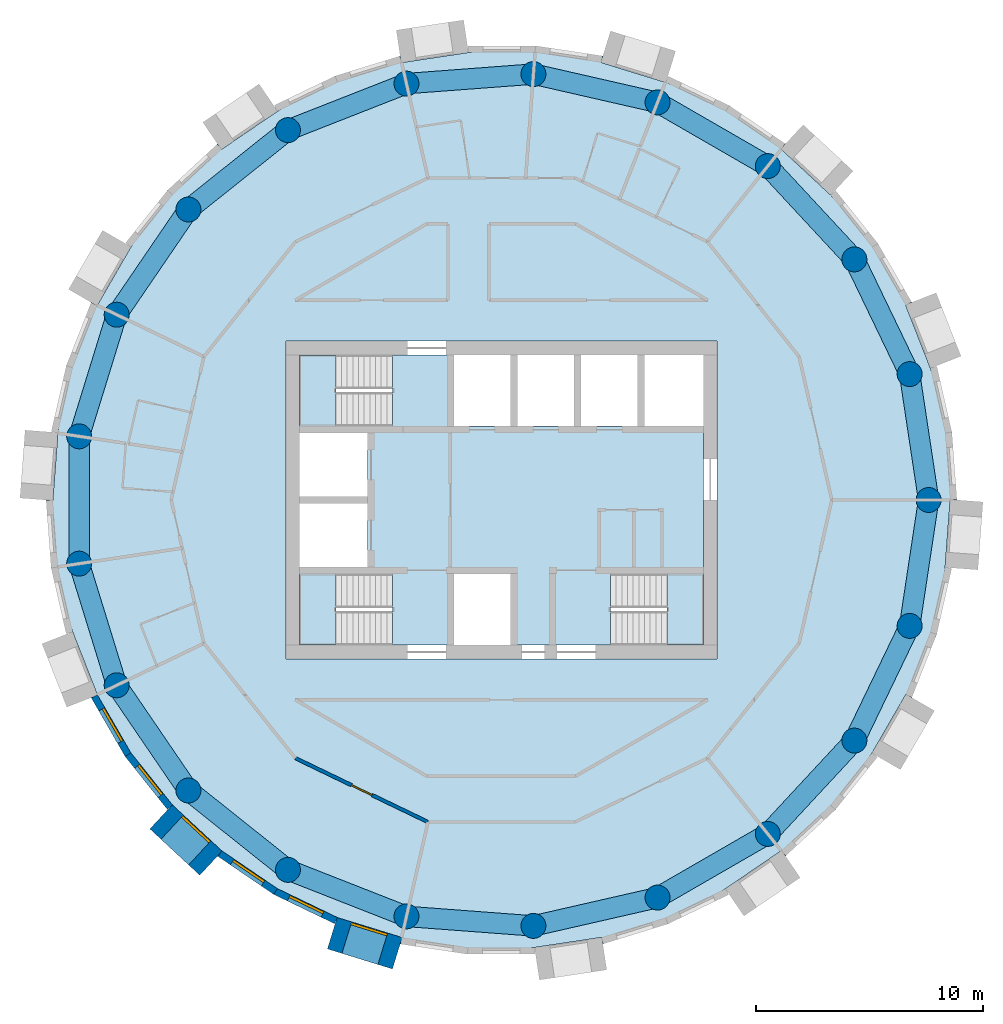
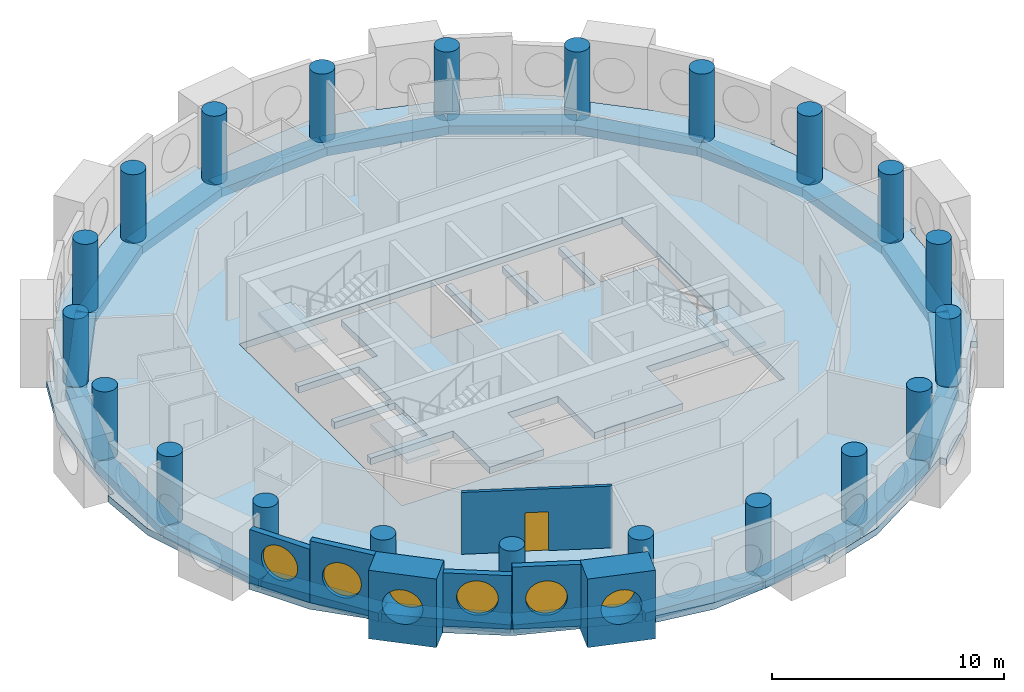
# One storey, part 1 of 12: 21 beams, 21 columns, 7 walls, 6 windows, 5 slabs, 1 door, 7 openings, 3 elements without a shape of their own.
"""IFC4 building model written with IfcOpenShell, lengths in metres."""

from ifc_helpers import new_model, si_unit, direction, frame, frame_2d, origin, origin_2d, place, context, subcontext, project, spatial, polyline, rectangle, circle, outline, extrude, material, layer, layer_set, material_profile, profile_set, type_object, element, fill, aggregate, save


model = new_model("IFC4")

# Units and contexts
model_context = context("Model", 3, precision=1e-05, world=origin(), true_north=direction((0.0, 1.0)))
body_context = subcontext(model_context, "Body", "Model", "MODEL_VIEW")
ifc_project = project(units=[si_unit("LENGTHUNIT", "METRE"), si_unit("AREAUNIT", "SQUARE_METRE"), si_unit("VOLUMEUNIT", "CUBIC_METRE"), si_unit("PLANEANGLEUNIT", "RADIAN"), si_unit("MASSUNIT", "GRAM", prefix="KILO")], contexts=[model_context])

# Site, building, storey
site_placement = place(None, origin())
site = spatial("IfcSite", under=ifc_project, at=site_placement, CompositionType="ELEMENT")
building_placement = place(site_placement, origin())
building = spatial("IfcBuilding", under=site, at=building_placement, Name="Tracery Tower", CompositionType="ELEMENT")
storey_placement = place(building_placement, frame((0.0, 0.0, 249.0)))
storey = spatial("IfcBuildingStorey", under=building, at=storey_placement, Name="L64", CompositionType="ELEMENT", Elevation=249.0)

# Columns
ifc_material_1 = material(Name="Concrete C40/50", Category="concrete")
ifc_material_profile_1 = material_profile(ifc_material_1, circle(Radius=0.550048828125, at=origin_2d()), Name="RC D1100")
ifc_profile_set_1 = profile_set([ifc_material_profile_1], Name="Concrete C40/50")
column_type = type_object("IfcColumnType", Name="Ring 2 column 1100", PredefinedType="COLUMN", material=ifc_profile_set_1)
for number, where, z_axis, x_axis, name in (
    (1, (18.822265625, 0.0, 0.0), (0.0, 0.0, 1.0), (1.0, 0.0, 0.0), "Ring 2 column 00 at L64"),
    (2, (17.986083984375, 5.5478515625, 0.0), (0.0, 0.0, 1.0), (1.0, 0.0, 0.0), "Ring 2 column 01 at L64"),
    (3, (15.551513671875, 10.602783203125, 0.0), (0.0, 0.0, 1.0), (1.0, 0.0, 0.0), "Ring 2 column 02 at L64"),
    (4, (11.7353515625, 14.7158203125, 0.0), (0.0, 0.0, 1.0), (1.0, 0.0, 0.0), "Ring 2 column 03 at L64"),
    (5, (6.87646484375, 17.52099609375, 0.0), (0.0, 0.0, 1.0), (1.0, 0.0, 0.0), "Ring 2 column 04 at L64"),
    (6, (1.406494140625, 18.76953125, 0.0), (0.0, 0.0, 1.0), (1.0, 0.0, 0.0), "Ring 2 column 05 at L64"),
    (7, (-4.188232421875, 18.350341796875, 0.0), (0.0, 0.0, 1.0), (1.0, 0.0, 0.0), "Ring 2 column 06 at L64"),
    (8, (-9.4111328125, 16.300537109375, 0.0), (0.0, 0.0, 1.0), (1.0, 0.0, 0.0), "Ring 2 column 07 at L64"),
    (9, (-13.797607421875, 12.802490234375, 0.0), (0.0, 0.0, 1.0), (1.0, 0.0, 0.0), "Ring 2 column 08 at L64"),
    (10, (-16.958251953125, 8.16650390625, 0.0), (0.0, 0.0, 1.0), (1.0, 0.0, 0.0), "Ring 2 column 09 at L64"),
    (11, (-18.612060546875, 2.805419921875, 0.0), (0.0, 0.0, 1.0), (1.0, 0.0, 0.0), "Ring 2 column 10 at L64"),
    (12, (-18.612060546875, -2.805419921875, 0.0), (0.0, 0.0, 1.0), (1.0, 0.0, 0.0), "Ring 2 column 11 at L64"),
    (13, (-16.958251953125, -8.166748046875, 0.0), (0.0, 0.0, 1.0), (1.0, 0.0, 0.0), "Ring 2 column 12 at L64"),
    (14, (-13.797607421875, -12.80224609375, 0.0), (0.0, 0.0, 1.0), (1.0, 0.0, 0.0), "Ring 2 column 13 at L64"),
    (15, (-9.4111328125, -16.300537109375, 0.0), (0.0, 0.0, 1.0), (1.0, 0.0, 0.0), "Ring 2 column 14 at L64"),
    (16, (-4.188232421875, -18.350341796875, 0.0), (0.0, 0.0, 1.0), (1.0, 0.0, 0.0), "Ring 2 column 15 at L64"),
    (17, (1.406494140625, -18.76953125, 0.0), (0.0, 0.0, 1.0), (1.0, 0.0, 0.0), "Ring 2 column 16 at L64"),
    (18, (6.87646484375, -17.52099609375, 0.0), (0.0, 0.0, 1.0), (1.0, 0.0, 0.0), "Ring 2 column 17 at L64"),
    (19, (11.7353515625, -14.7158203125, 0.0), (0.0, 0.0, 1.0), (1.0, 0.0, 0.0), "Ring 2 column 18 at L64"),
    (20, (15.551513671875, -10.602783203125, 0.0), (0.0, 0.0, 1.0), (1.0, 0.0, 0.0), "Ring 2 column 19 at L64"),
    (21, (17.986083984375, -5.5478515625, 0.0), (0.0, 0.0, 1.0), (1.0, 0.0, 0.0), "Ring 2 column 20 at L64"),
):
    element("IfcColumn", number, at=place(storey_placement, frame(where, z_axis=z_axis, x_axis=x_axis)), inside=storey, type_object=column_type, Name=name, PredefinedType="COLUMN", context=body_context, shape_type="SweptSolid", body=[
        extrude(circle(Radius=0.550048828125, at=origin_2d()), origin(), (0.0, 0.0, 1.0), 3.60009765625),
    ])

# Beams
ifc_material_2 = material(Name="Concrete C40/50", Category="concrete")
ifc_material_profile_2 = material_profile(ifc_material_2, rectangle(XDim=0.89990234375, YDim=0.449951171875, at=origin_2d()), Name="RC 900x450")
ifc_profile_set_2 = profile_set([ifc_material_profile_2], Name="Concrete C40/50")
beam_type = type_object("IfcBeamType", Name="Perimeter band beam 900x450", PredefinedType="BEAM", material=ifc_profile_set_2)
for number, where, z_axis, x_axis, name in (
    (22, (18.822265625, 0.0, -0.574951171875), (-0.149038355855, 0.988831415603, 0.0), (-0.988831415603, -0.149038355855, 0.0), "Perimeter beam 2.00 under L64"),
    (23, (17.986083984375, 5.5478515625, -0.574951171875), (-0.433918973155, 0.900951899235, 0.0), (-0.900951899235, -0.433918973155, 0.0), "Perimeter beam 2.01 under L64"),
):
    element("IfcBeam", number, at=place(storey_placement, frame(where, z_axis=z_axis, x_axis=x_axis)), inside=storey, type_object=beam_type, Name=name, PredefinedType="BEAM", context=body_context, shape_type="SweptSolid", body=[
        extrude(rectangle(XDim=0.89990234375, YDim=0.449951171875, at=origin_2d()), origin(), (0.0, 0.0, 1.0), 5.610595703125),
    ])
beam_1_placement = place(storey_placement, frame((15.551513671875, 10.602783203125, -0.574951171875), z_axis=(-0.680155630824, 0.733067744386, 0.0), x_axis=(-0.733067744386, -0.680155630824, 0.0)))
element("IfcBeam", 24, at=beam_1_placement, inside=storey, type_object=beam_type, Name="Perimeter beam 2.02 under L64", PredefinedType="BEAM", context=body_context, shape_type="SweptSolid", body=[
    extrude(rectangle(XDim=0.89990234375, YDim=0.449951171875, at=origin_2d()), origin(), (0.0, 0.0, 1.0), 5.61083984375),
])
for number, where, z_axis, x_axis, name in (
    (25, (11.7353515625, 14.7158203125, -0.574951171875), (-0.866033412818, 0.49998612769, 0.0), (-0.49998612769, -0.866033412818, 0.0), "Perimeter beam 2.03 under L64"),
    (26, (6.87646484375, 17.52099609375, -0.574951171875), (-0.974925977366, 0.222529410768, 0.0), (-0.222529410768, -0.974925977366, 0.0), "Perimeter beam 2.04 under L64"),
):
    element("IfcBeam", number, at=place(storey_placement, frame(where, z_axis=z_axis, x_axis=x_axis)), inside=storey, type_object=beam_type, Name=name, PredefinedType="BEAM", context=body_context, shape_type="SweptSolid", body=[
        extrude(rectangle(XDim=0.89990234375, YDim=0.449951171875, at=origin_2d()), origin(), (0.0, 0.0, 1.0), 5.610595703125),
    ])
beam_2_placement = place(storey_placement, frame((1.406494140625, 18.76953125, -0.574951171875), z_axis=(-0.997204824387, -0.07471638521, 0.0), x_axis=(0.07471638521, -0.997204824387, 0.0)))
element("IfcBeam", 27, at=beam_2_placement, inside=storey, type_object=beam_type, Name="Perimeter beam 2.05 under L64", PredefinedType="BEAM", context=body_context, shape_type="SweptSolid", body=[
    extrude(rectangle(XDim=0.89990234375, YDim=0.449951171875, at=origin_2d()), origin(), (0.0, 0.0, 1.0), 5.6103515625),
])
beam_3_placement = place(storey_placement, frame((-4.188232421875, 18.350341796875, -0.574951171875), z_axis=(-0.930875728468, -0.365335979817, 0.0), x_axis=(0.365335979817, -0.930875728468, 0.0)))
element("IfcBeam", 28, at=beam_3_placement, inside=storey, type_object=beam_type, Name="Perimeter beam 2.06 under L64", PredefinedType="BEAM", context=body_context, shape_type="SweptSolid", body=[
    extrude(rectangle(XDim=0.89990234375, YDim=0.449951171875, at=origin_2d()), origin(), (0.0, 0.0, 1.0), 5.61083984375),
])
beam_4_placement = place(storey_placement, frame((-9.4111328125, 16.300537109375, -0.574951171875), z_axis=(-0.781835817725, -0.623484365579, 0.0), x_axis=(0.623484365579, -0.781835817725, 0.0)))
element("IfcBeam", 29, at=beam_4_placement, inside=storey, type_object=beam_type, Name="Perimeter beam 2.07 under L64", PredefinedType="BEAM", context=body_context, shape_type="SweptSolid", body=[
    extrude(rectangle(XDim=0.89990234375, YDim=0.449951171875, at=origin_2d()), origin(), (0.0, 0.0, 1.0), 5.610595703125),
])
beam_5_placement = place(storey_placement, frame((-13.797607421875, 12.802490234375, -0.574951171875), z_axis=(-0.563305770578, -0.826248515178, 0.0), x_axis=(0.826248515178, -0.563305770578, 0.0)))
element("IfcBeam", 30, at=beam_5_placement, inside=storey, type_object=beam_type, Name="Perimeter beam 2.08 under L64", PredefinedType="BEAM", context=body_context, shape_type="SweptSolid", body=[
    extrude(rectangle(XDim=0.89990234375, YDim=0.449951171875, at=origin_2d()), origin(), (0.0, 0.0, 1.0), 5.61083984375),
])
beam_6_placement = place(storey_placement, frame((-16.958251953125, 8.16650390625, -0.574951171875), z_axis=(-0.294776851839, -0.955566118916, 0.0), x_axis=(0.955566118916, -0.294776851839, 0.0)))
element("IfcBeam", 31, at=beam_6_placement, inside=storey, type_object=beam_type, Name="Perimeter beam 2.09 under L64", PredefinedType="BEAM", context=body_context, shape_type="SweptSolid", body=[
    extrude(rectangle(XDim=0.89990234375, YDim=0.449951171875, at=origin_2d()), origin(), (0.0, 0.0, 1.0), 5.6103515625),
])
beam_7_placement = place(storey_placement, frame((-18.612060546875, 2.805419921875, -0.574951171875), z_axis=(0.0, -1.0, 0.0), x_axis=(1.0, 0.0, 0.0)))
element("IfcBeam", 32, at=beam_7_placement, inside=storey, type_object=beam_type, Name="Perimeter beam 2.10 under L64", PredefinedType="BEAM", context=body_context, shape_type="SweptSolid", body=[
    extrude(rectangle(XDim=0.89990234375, YDim=0.449951171875, at=origin_2d()), origin(), (0.0, 0.0, 1.0), 5.61083984375),
])
for number, where, z_axis, x_axis, name in (
    (33, (-18.612060546875, -2.805419921875, -0.574951171875), (0.294764594813, -0.955569899926, 0.0), (0.955569899926, 0.294764594813, 0.0), "Perimeter beam 2.11 under L64"),
    (34, (-16.958251953125, -8.166748046875, -0.574951171875), (0.5633462764, -0.826220898348, 0.0), (0.826220898348, 0.5633462764, 0.0), "Perimeter beam 2.12 under L64"),
    (35, (-13.797607421875, -12.80224609375, -0.574951171875), (0.781814605872, -0.623510963853, 0.0), (0.623510963853, 0.781814605872, 0.0), "Perimeter beam 2.13 under L64"),
):
    element("IfcBeam", number, at=place(storey_placement, frame(where, z_axis=z_axis, x_axis=x_axis)), inside=storey, type_object=beam_type, Name=name, PredefinedType="BEAM", context=body_context, shape_type="SweptSolid", body=[
        extrude(rectangle(XDim=0.89990234375, YDim=0.449951171875, at=origin_2d()), origin(), (0.0, 0.0, 1.0), 5.610595703125),
    ])
beam_8_placement = place(storey_placement, frame((-9.4111328125, -16.300537109375, -0.574951171875), z_axis=(0.930875728468, -0.365335979817, 0.0), x_axis=(0.365335979817, 0.930875728468, 0.0)))
element("IfcBeam", 36, at=beam_8_placement, inside=storey, type_object=beam_type, Name="Perimeter beam 2.14 under L64", PredefinedType="BEAM", context=body_context, shape_type="SweptSolid", body=[
    extrude(rectangle(XDim=0.89990234375, YDim=0.449951171875, at=origin_2d()), origin(), (0.0, 0.0, 1.0), 5.61083984375),
])
beam_9_placement = place(storey_placement, frame((-4.188232421875, -18.350341796875, -0.574951171875), z_axis=(0.997204824387, -0.07471638521, 0.0), x_axis=(0.07471638521, 0.997204824387, 0.0)))
element("IfcBeam", 37, at=beam_9_placement, inside=storey, type_object=beam_type, Name="Perimeter beam 2.15 under L64", PredefinedType="BEAM", context=body_context, shape_type="SweptSolid", body=[
    extrude(rectangle(XDim=0.89990234375, YDim=0.449951171875, at=origin_2d()), origin(), (0.0, 0.0, 1.0), 5.6103515625),
])
for number, where, z_axis, x_axis, name in (
    (38, (1.406494140625, -18.76953125, -0.574951171875), (0.974925977366, 0.222529410768, 0.0), (-0.222529410768, 0.974925977366, 0.0), "Perimeter beam 2.16 under L64"),
    (39, (6.87646484375, -17.52099609375, -0.574951171875), (0.866033412818, 0.49998612769, 0.0), (-0.49998612769, 0.866033412818, 0.0), "Perimeter beam 2.17 under L64"),
):
    element("IfcBeam", number, at=place(storey_placement, frame(where, z_axis=z_axis, x_axis=x_axis)), inside=storey, type_object=beam_type, Name=name, PredefinedType="BEAM", context=body_context, shape_type="SweptSolid", body=[
        extrude(rectangle(XDim=0.89990234375, YDim=0.449951171875, at=origin_2d()), origin(), (0.0, 0.0, 1.0), 5.610595703125),
    ])
beam_10_placement = place(storey_placement, frame((11.7353515625, -14.7158203125, -0.574951171875), z_axis=(0.680155630824, 0.733067744386, 0.0), x_axis=(-0.733067744386, 0.680155630824, 0.0)))
element("IfcBeam", 40, at=beam_10_placement, inside=storey, type_object=beam_type, Name="Perimeter beam 2.18 under L64", PredefinedType="BEAM", context=body_context, shape_type="SweptSolid", body=[
    extrude(rectangle(XDim=0.89990234375, YDim=0.449951171875, at=origin_2d()), origin(), (0.0, 0.0, 1.0), 5.61083984375),
])
for number, where, z_axis, x_axis, name in (
    (41, (15.551513671875, -10.602783203125, -0.574951171875), (0.433918973155, 0.900951899235, 0.0), (-0.900951899235, 0.433918973155, 0.0), "Perimeter beam 2.19 under L64"),
    (42, (17.986083984375, -5.5478515625, -0.574951171875), (0.149038355855, 0.988831415603, 0.0), (-0.988831415603, 0.149038355855, 0.0), "Perimeter beam 2.20 under L64"),
):
    element("IfcBeam", number, at=place(storey_placement, frame(where, z_axis=z_axis, x_axis=x_axis)), inside=storey, type_object=beam_type, Name=name, PredefinedType="BEAM", context=body_context, shape_type="SweptSolid", body=[
        extrude(rectangle(XDim=0.89990234375, YDim=0.449951171875, at=origin_2d()), origin(), (0.0, 0.0, 1.0), 5.610595703125),
    ])

# Slabs
ifc_material_3 = material(Name="Concrete C40/50", Category="concrete")
ifc_layer_1 = layer(ifc_material_3, 0.35009765625)
ifc_layer_set_1 = layer_set([ifc_layer_1], Name="Core floor slab 350 C40")
slab_type_1 = type_object("IfcSlabType", Name="Core floor slab 350 C40", PredefinedType="FLOOR", material=ifc_layer_set_1)
slab_1_placement = place(storey_placement, frame((0.0, 0.0, -0.35009765625)))
element("IfcSlab", 43, at=slab_1_placement, inside=storey, type_object=slab_type_1, Name="L64 core floor 1", PredefinedType="FLOOR", context=body_context, shape_type="SweptSolid", body=[
    extrude(outline(polyline([(-4.800537109375, -3.25), (-8.89990234375, -3.25), (-8.89990234375, -2.949951171875), (-5.89990234375, -2.949951171875), (-5.89990234375, -0.14990234375), (-8.89990234375, -0.14990234375), (-8.89990234375, 0.14990234375), (-5.89990234375, 0.14990234375), (-5.89990234375, 2.949951171875), (-8.89990234375, 2.949951171875), (-8.89990234375, 3.25), (-4.800537109375, 3.25), (-4.800537109375, 6.39990234375), (-2.10009765625, 6.39990234375), (-2.10009765625, 3.25), (0.39990234375, 3.25), (0.39990234375, 6.39990234375), (0.699951171875, 6.39990234375), (0.699951171875, 3.25), (3.199951171875, 3.25), (3.199951171875, 6.39990234375), (3.5, 6.39990234375), (3.5, 3.25), (6.0, 3.25), (6.0, 6.39990234375), (6.300048828125, 6.39990234375), (6.300048828125, 3.25), (8.89990234375, 3.25), (8.89990234375, -3.25), (4.800537109375, -3.25), (4.800537109375, -6.39990234375), (0.39990234375, -6.39990234375), (0.39990234375, -3.25), (-2.10009765625, -3.25), (-2.10009765625, -6.39990234375), (-4.800537109375, -6.39990234375), (-4.800537109375, -3.25)])), origin(), (0.0, 0.0, 1.0), 0.35009765625),
])
ifc_material_4 = material(Name="Concrete C40/50", Category="concrete")
ifc_layer_2 = layer(ifc_material_4, 0.35009765625)
ifc_layer_set_2 = layer_set([ifc_layer_2], Name="Floor slab 350")
slab_type_2 = type_object("IfcSlabType", Name="Floor slab 350", PredefinedType="FLOOR", material=ifc_layer_set_2)
slab_2_placement = place(storey_placement, frame((0.0, 0.0, -0.35009765625)))
element("IfcSlab", 44, at=slab_2_placement, inside=storey, type_object=slab_type_2, Name="Floor slab L64", PredefinedType="FLOOR", context=body_context, shape_type="SweptSolid", body=[
    extrude(outline(polyline([(18.89306640625, 5.827392578125), (17.80517578125, 8.599365234375), (18.084228515625, 8.708984375), (18.08447265625, 8.708984375), (16.58447265625, 11.30712890625), (14.493408203125, 13.447998046875), (12.3271484375, 15.4580078125), (12.3271484375, 15.4580078125), (12.310791015625, 15.47314453125), (12.5146484375, 15.69287109375), (12.514892578125, 15.693115234375), (10.0361328125, 17.383056640625), (7.223388671875, 18.404541015625), (4.3994140625, 19.275634765625), (4.3994140625, 19.275634765625), (4.378173828125, 19.2822265625), (4.466552734375, 19.56884765625), (1.5, 20.01611328125), (-1.47705078125, 19.716064453125), (-2.3466796875, 19.585205078125), (-4.3994140625, 19.275634765625), (-4.3994140625, 19.275634765625), (-4.421875, 19.272216796875), (-4.46630859375, 19.568603515625), (-4.466552734375, 19.56884765625), (-7.333251953125, 18.684814453125), (-9.885498046875, 17.12255859375), (-12.345703125, 15.4453125), (-12.514892578125, 15.693115234375), (-14.714111328125, 13.652587890625), (-16.335693359375, 11.13818359375), (-17.82470703125, 8.55908203125), (-18.08447265625, 8.708984375), (-19.180419921875, 5.91650390625), (-19.550537109375, 2.94677734375), (-19.63720703125, 1.789306640625), (-19.77294921875, -0.0224609375), (-20.072265625, 0.0), (-20.072265625, 0.0), (-19.847900390625, -2.99169921875), (-18.89306640625, -5.827392578125), (-17.80517578125, -8.599365234375), (-18.084228515625, -8.708984375), (-18.08447265625, -8.708984375), (-16.58447265625, -11.30712890625), (-14.493408203125, -13.447998046875), (-12.3271484375, -15.4580078125), (-12.3271484375, -15.4580078125), (-12.310791015625, -15.47314453125), (-12.5146484375, -15.69287109375), (-12.514892578125, -15.693115234375), (-10.0361328125, -17.383056640625), (-7.223388671875, -18.404541015625), (-4.3994140625, -19.275634765625), (-4.3994140625, -19.275634765625), (-4.378173828125, -19.2822265625), (-4.466552734375, -19.56884765625), (-1.5, -20.01611328125), (1.47705078125, -19.716064453125), (2.3466796875, -19.585205078125), (4.3994140625, -19.275634765625), (4.3994140625, -19.275634765625), (4.421875, -19.272216796875), (4.46630859375, -19.568603515625), (4.466552734375, -19.56884765625), (7.333251953125, -18.684814453125), (9.885498046875, -17.12255859375), (12.345703125, -15.4453125), (12.514892578125, -15.693115234375), (14.714111328125, -13.652587890625), (16.335693359375, -11.13818359375), (17.82470703125, -8.55908203125), (18.08447265625, -8.708984375), (19.180419921875, -5.91650390625), (19.550537109375, -2.94677734375), (19.63720703125, -1.789306640625), (19.77294921875, 0.0224609375), (20.072265625, 0.0), (19.847900390625, 2.99169921875), (18.89306640625, 5.827392578125)]), holes=[polyline([(-9.5, -7.0), (9.5, -7.0), (9.5, 7.0), (-9.5, 7.0), (-9.5, -7.0)])]), origin(), (0.0, 0.0, 1.0), 0.35009765625),
])

# Stair, slab
ifc_material_5 = material(Name="Concrete C32/40", Category="concrete")
stair_type = type_object("IfcStairType", Name="Core stair 22 risers", PredefinedType="HALF_TURN_STAIR", material=ifc_material_5)
stair_1_placement = place(storey_placement, origin())
stair_1 = element("IfcStair", 45, at=stair_1_placement, inside=storey, type_object=stair_type, Name="L64 stair ST1", PredefinedType="HALF_TURN_STAIR")
ifc_material_6 = material(Name="Concrete C32/40", Category="concrete")
ifc_layer_3 = layer(ifc_material_6, 0.199951171875)
ifc_layer_set_3 = layer_set([ifc_layer_3], Name="Stair landing slab 200")
slab_type_3 = type_object("IfcSlabType", Name="Stair landing slab 200", PredefinedType="LANDING", material=ifc_layer_set_3)
slab_3_placement = place(storey_placement, frame((0.0, 0.0, 1.60009765625)))
slab_3 = element("IfcSlab", 46, at=slab_3_placement, type_object=slab_type_3, Name="ST1 landing 1", PredefinedType="LANDING", context=body_context, shape_type="SweptSolid", body=[
    extrude(outline(polyline([(-7.29931640625, -3.25), (-8.89990234375, -3.25), (-8.89990234375, -6.39990234375), (-7.29931640625, -6.39990234375), (-7.29931640625, -3.25)])), origin(), (0.0, 0.0, 1.0), 0.199951171875),
])
aggregate(stair_1, [slab_3])

stair_2_placement = place(storey_placement, origin())
stair_2 = element("IfcStair", 47, at=stair_2_placement, inside=storey, type_object=stair_type, Name="L64 stair ST3", PredefinedType="HALF_TURN_STAIR")
slab_4_placement = place(storey_placement, frame((0.0, 0.0, 1.60009765625)))
slab_4 = element("IfcSlab", 48, at=slab_4_placement, type_object=slab_type_3, Name="ST3 landing 1", PredefinedType="LANDING", context=body_context, shape_type="SweptSolid", body=[
    extrude(outline(polyline([(-7.29931640625, 6.39990234375), (-8.89990234375, 6.39990234375), (-8.89990234375, 3.25), (-7.29931640625, 3.25), (-7.29931640625, 6.39990234375)])), origin(), (0.0, 0.0, 1.0), 0.199951171875),
])
aggregate(stair_2, [slab_4])

stair_3_placement = place(storey_placement, origin())
stair_3 = element("IfcStair", 49, at=stair_3_placement, inside=storey, type_object=stair_type, Name="L64 stair ST2", PredefinedType="HALF_TURN_STAIR")
slab_5_placement = place(storey_placement, frame((0.0, 0.0, 1.60009765625)))
slab_5 = element("IfcSlab", 50, at=slab_5_placement, type_object=slab_type_3, Name="ST2 landing 1", PredefinedType="LANDING", context=body_context, shape_type="SweptSolid", body=[
    extrude(outline(polyline([(7.29931640625, -6.39990234375), (8.89990234375, -6.39990234375), (8.89990234375, -3.25), (7.29931640625, -3.25), (7.29931640625, -6.39990234375)])), origin(), (0.0, 0.0, 1.0), 0.199951171875),
])
aggregate(stair_3, [slab_5])

# Wall, opening, window
ifc_material_7 = material(Name="Precast concrete C50/60", Category="concrete")
ifc_layer_4 = layer(ifc_material_7, 1.449951171875)
ifc_layer_set_4 = layer_set([ifc_layer_4], Name="Deep-set bay unit 3000 x 3600, slab edge 350")
wall_type_1 = type_object("IfcWallType", Name="Deep-set bay unit 3000 x 3600, slab edge 350", PredefinedType="ELEMENTEDWALL", material=ifc_layer_set_4)
wall_1_placement = place(storey_placement, frame((-15.0029296875, -13.964111328125, -0.35009765625), z_axis=(0.0, 0.0, 1.0), x_axis=(0.733022439167, -0.680204457261, 0.0)))
wall_1 = element("IfcWall", 51, at=wall_1_placement, inside=storey, type_object=wall_type_1, Name="Deep-set bay unit 27 at L64", PredefinedType="ELEMENTEDWALL", context=body_context, shape_type="SweptSolid", body=[
    extrude(rectangle(XDim=2.999755859375, YDim=1.449951171875, at=frame_2d((1.5, 0.0))), origin(), (0.0, 0.0, 1.0), 3.60009765625),
])
opening_1_placement = place(wall_1_placement, frame((1.5, 0.0, 1.89990234375)))
opening_1 = element("IfcOpeningElement", 52, at=opening_1_placement, cuts=wall_1, Name="Opening WN1", PredefinedType="OPENING", context=body_context, shape_type="SweptSolid", body=[
    extrude(circle(Radius=0.9000244140625, at=origin_2d()), frame((0.0, 0.73486328125, 0.0), z_axis=(0.0, -1.0, 0.0), x_axis=(1.0, 0.0, 0.0)), (0.0, 0.0, 1.0), 1.469970703125),
])
ifc_material_8 = material(Name="Aluminium frame with tinted double glazing", Category="aluminium")
window_type = type_object("IfcWindowType", Name="Round window 1800", PartitioningType="SINGLE_PANEL", PredefinedType="WINDOW", material=ifc_material_8)
window_1_placement = place(opening_1_placement, origin())
window_1 = element("IfcWindow", 53, at=window_1_placement, inside=storey, type_object=window_type, Name="Round window 27 at L64", OverallHeight=1.800048828125, OverallWidth=1.800048828125, PartitioningType="SINGLE_PANEL", PredefinedType="WINDOW", context=body_context, shape_type="SweptSolid", body=[
    extrude(circle(Radius=0.9000244140625, at=origin_2d()), frame((0.0, 0.69482421875, 0.0), z_axis=(0.0, -1.0, 0.0), x_axis=(1.0, 0.0, 0.0)), (0.0, 0.0, 1.0), 0.10009765625),
])
fill(opening_1, window_1)

wall_2_placement = place(storey_placement, frame((-7.45849609375, -19.0908203125, -0.35009765625), z_axis=(0.0, 0.0, 1.0), x_axis=(0.955571139978, -0.294760574774, 0.0)))
wall_2 = element("IfcWall", 54, at=wall_2_placement, inside=storey, type_object=wall_type_1, Name="Deep-set bay unit 30 at L64", PredefinedType="ELEMENTEDWALL", context=body_context, shape_type="SweptSolid", body=[
    extrude(rectangle(XDim=3.0, YDim=1.449951171875, at=frame_2d((1.5, 0.0))), origin(), (0.0, 0.0, 1.0), 3.60009765625),
])
opening_2_placement = place(wall_2_placement, frame((1.5, 0.0, 1.89990234375)))
opening_2 = element("IfcOpeningElement", 55, at=opening_2_placement, cuts=wall_2, Name="Opening WN1", PredefinedType="OPENING", context=body_context, shape_type="SweptSolid", body=[
    extrude(circle(Radius=0.9000244140625, at=origin_2d()), frame((0.0, 0.73486328125, 0.0), z_axis=(0.0, -1.0, 0.0), x_axis=(1.0, 0.0, 0.0)), (0.0, 0.0, 1.0), 1.469970703125),
])
window_2_placement = place(opening_2_placement, origin())
window_2 = element("IfcWindow", 56, at=window_2_placement, inside=storey, type_object=window_type, Name="Round window 30 at L64", OverallHeight=1.800048828125, OverallWidth=1.800048828125, PartitioningType="SINGLE_PANEL", PredefinedType="WINDOW", context=body_context, shape_type="SweptSolid", body=[
    extrude(circle(Radius=0.9000244140625, at=origin_2d()), frame((0.0, 0.69482421875, 0.0), z_axis=(0.0, -1.0, 0.0), x_axis=(1.0, 0.0, 0.0)), (0.0, 0.0, 1.0), 0.10009765625),
])
fill(opening_2, window_2)

ifc_material_9 = material(Name="Precast concrete C50/60", Category="concrete")
ifc_layer_5 = layer(ifc_material_9, 0.300048828125)
ifc_layer_set_5 = layer_set([ifc_layer_5], Name="Facade panel 3000 x 2800")
wall_type_2 = type_object("IfcWallType", Name="Facade panel 3000 x 2800", PredefinedType="SOLIDWALL", material=ifc_layer_set_5)
wall_3_placement = place(storey_placement, frame((-17.941162109375, -8.656982421875, 0.0), z_axis=(0.0, 0.0, 1.0), x_axis=(0.499950756475, -0.86605383268, 0.0)))
wall_3 = element("IfcWall", 57, at=wall_3_placement, inside=storey, type_object=wall_type_2, Name="Facade panel 25 at L64", PredefinedType="SOLIDWALL", context=body_context, shape_type="SweptSolid", body=[
    extrude(rectangle(XDim=2.962158203125, YDim=0.300048828125, at=frame_2d((1.48095703125, 0.0))), origin(), (0.0, 0.0, 1.0), 2.800048828125),
])
opening_3_placement = place(wall_3_placement, frame((1.48095703125, 0.0, 1.5498046875)))
opening_3 = element("IfcOpeningElement", 58, at=opening_3_placement, cuts=wall_3, Name="Opening WN1", PredefinedType="OPENING", context=body_context, shape_type="SweptSolid", body=[
    extrude(circle(Radius=0.9000244140625, at=origin_2d()), frame((0.0, 0.159912109375, 0.0), z_axis=(0.0, -1.0, 0.0), x_axis=(1.0, 0.0, 0.0)), (0.0, 0.0, 1.0), 0.320068359375),
])
window_3_placement = place(opening_3_placement, origin())
window_3 = element("IfcWindow", 59, at=window_3_placement, inside=storey, type_object=window_type, Name="Round window 25 at L64", OverallHeight=1.800048828125, OverallWidth=1.800048828125, PartitioningType="SINGLE_PANEL", PredefinedType="WINDOW", context=body_context, shape_type="SweptSolid", body=[
    extrude(circle(Radius=0.9000244140625, at=origin_2d()), frame((0.0, 0.1201171875, 0.0), z_axis=(0.0, -1.0, 0.0), x_axis=(1.0, 0.0, 0.0)), (0.0, 0.0, 1.0), 0.10009765625),
])
fill(opening_3, window_3)

wall_4_placement = place(storey_placement, frame((-12.408447265625, -15.583984375, 0.0), z_axis=(0.0, 0.0, 1.0), x_axis=(0.826236061068, -0.563324037646, 0.0)))
wall_4 = element("IfcWall", 60, at=wall_4_placement, inside=storey, type_object=wall_type_2, Name="Facade panel 28 at L64", PredefinedType="SOLIDWALL", context=body_context, shape_type="SweptSolid", body=[
    extrude(rectangle(XDim=2.962158203125, YDim=0.300048828125, at=frame_2d((1.48095703125, 0.0))), origin(), (0.0, 0.0, 1.0), 2.800048828125),
])
opening_4_placement = place(wall_4_placement, frame((1.48095703125, 0.0, 1.5498046875)))
opening_4 = element("IfcOpeningElement", 61, at=opening_4_placement, cuts=wall_4, Name="Opening WN1", PredefinedType="OPENING", context=body_context, shape_type="SweptSolid", body=[
    extrude(circle(Radius=0.9000244140625, at=origin_2d()), frame((0.0, 0.159912109375, 0.0), z_axis=(0.0, -1.0, 0.0), x_axis=(1.0, 0.0, 0.0)), (0.0, 0.0, 1.0), 0.320068359375),
])
window_4_placement = place(opening_4_placement, origin())
window_4 = element("IfcWindow", 62, at=window_4_placement, inside=storey, type_object=window_type, Name="Round window 28 at L64", OverallHeight=1.800048828125, OverallWidth=1.800048828125, PartitioningType="SINGLE_PANEL", PredefinedType="WINDOW", context=body_context, shape_type="SweptSolid", body=[
    extrude(circle(Radius=0.9000244140625, at=origin_2d()), frame((0.0, 0.1201171875, 0.0), z_axis=(0.0, -1.0, 0.0), x_axis=(1.0, 0.0, 0.0)), (0.0, 0.0, 1.0), 0.10009765625),
])
fill(opening_4, window_4)

ifc_material_10 = material(Name="Precast concrete C50/60", Category="concrete")
ifc_layer_6 = layer(ifc_material_10, 0.300048828125)
ifc_layer_set_6 = layer_set([ifc_layer_6], Name="Facade panel 3000 x 3250")
wall_type_3 = type_object("IfcWallType", Name="Facade panel 3000 x 3250", PredefinedType="SOLIDWALL", material=ifc_layer_set_6)
wall_5_placement = place(storey_placement, frame((-16.460205078125, -11.222412109375, 0.0), z_axis=(0.0, 0.0, 1.0), x_axis=(0.623498236992, -0.781824755599, 0.0)))
wall_5 = element("IfcWall", 63, at=wall_5_placement, inside=storey, type_object=wall_type_3, Name="Facade panel 26 at L64", PredefinedType="SOLIDWALL", context=body_context, shape_type="SweptSolid", body=[
    extrude(rectangle(XDim=2.962158203125, YDim=0.300048828125, at=frame_2d((1.48095703125, 0.0))), origin(), (0.0, 0.0, 1.0), 3.25),
])
opening_5_placement = place(wall_5_placement, frame((1.48095703125, 0.0, 1.5498046875)))
opening_5 = element("IfcOpeningElement", 64, at=opening_5_placement, cuts=wall_5, Name="Opening WN1", PredefinedType="OPENING", context=body_context, shape_type="SweptSolid", body=[
    extrude(circle(Radius=0.9000244140625, at=origin_2d()), frame((0.0, 0.159912109375, 0.0), z_axis=(0.0, -1.0, 0.0), x_axis=(1.0, 0.0, 0.0)), (0.0, 0.0, 1.0), 0.320068359375),
])
window_5_placement = place(opening_5_placement, origin())
window_5 = element("IfcWindow", 65, at=window_5_placement, inside=storey, type_object=window_type, Name="Round window 26 at L64", OverallHeight=1.800048828125, OverallWidth=1.800048828125, PartitioningType="SINGLE_PANEL", PredefinedType="WINDOW", context=body_context, shape_type="SweptSolid", body=[
    extrude(circle(Radius=0.9000244140625, at=origin_2d()), frame((0.0, 0.1201171875, 0.0), z_axis=(0.0, -1.0, 0.0), x_axis=(1.0, 0.0, 0.0)), (0.0, 0.0, 1.0), 0.10009765625),
])
fill(opening_5, window_5)

wall_6_placement = place(storey_placement, frame((-9.9609375, -17.252685546875, 0.0), z_axis=(0.0, 0.0, 1.0), x_axis=(0.90095513435, -0.433912255978, 0.0)))
wall_6 = element("IfcWall", 66, at=wall_6_placement, inside=storey, type_object=wall_type_3, Name="Facade panel 29 at L64", PredefinedType="SOLIDWALL", context=body_context, shape_type="SweptSolid", body=[
    extrude(rectangle(XDim=2.96240234375, YDim=0.300048828125, at=frame_2d((1.481201171875, 0.0))), origin(), (0.0, 0.0, 1.0), 3.25),
])
opening_6_placement = place(wall_6_placement, frame((1.48095703125, 0.0, 1.5498046875)))
opening_6 = element("IfcOpeningElement", 67, at=opening_6_placement, cuts=wall_6, Name="Opening WN1", PredefinedType="OPENING", context=body_context, shape_type="SweptSolid", body=[
    extrude(circle(Radius=0.9000244140625, at=origin_2d()), frame((0.0, 0.159912109375, 0.0), z_axis=(0.0, -1.0, 0.0), x_axis=(1.0, 0.0, 0.0)), (0.0, 0.0, 1.0), 0.320068359375),
])
window_6_placement = place(opening_6_placement, origin())
window_6 = element("IfcWindow", 68, at=window_6_placement, inside=storey, type_object=window_type, Name="Round window 29 at L64", OverallHeight=1.800048828125, OverallWidth=1.800048828125, PartitioningType="SINGLE_PANEL", PredefinedType="WINDOW", context=body_context, shape_type="SweptSolid", body=[
    extrude(circle(Radius=0.9000244140625, at=origin_2d()), frame((0.0, 0.1201171875, 0.0), z_axis=(0.0, -1.0, 0.0), x_axis=(1.0, 0.0, 0.0)), (0.0, 0.0, 1.0), 0.10009765625),
])
fill(opening_6, window_6)

# Wall, opening, door
ifc_material_11 = material(Name="Plasterboard on steel studs", Category="steel")
ifc_layer_7 = layer(ifc_material_11, 0.14990234375)
ifc_layer_set_7 = layer_set([ifc_layer_7], Name="Partition 150 corridor wall")
wall_type_4 = type_object("IfcWallType", Name="Partition 150 corridor wall", PredefinedType="PARTITIONING", material=ifc_layer_set_7)
wall_7_placement = place(storey_placement, frame((-9.075927734375, -11.381103515625, 0.0), z_axis=(0.0, 0.0, 1.0), x_axis=(0.900976027191, -0.433868872388, 0.0)))
wall_7 = element("IfcWall", 69, at=wall_7_placement, inside=storey, type_object=wall_type_4, Name="Corridor wall RC2-039", PredefinedType="PARTITIONING", context=body_context, shape_type="SweptSolid", body=[
    extrude(rectangle(XDim=6.478515625, YDim=0.14990234375, at=frame_2d((3.2392578125, 0.0))), origin(), (0.0, 0.0, 1.0), 3.25),
])
opening_7_placement = place(wall_7_placement, frame((2.739501953125, 0.0, 0.0)))
opening_7 = element("IfcOpeningElement", 70, at=opening_7_placement, cuts=wall_7, Name="Opening RC2-18", PredefinedType="OPENING", context=body_context, shape_type="SweptSolid", body=[
    extrude(rectangle(XDim=1.0, YDim=2.0400390625, at=frame_2d((0.5, 1.02001953125))), frame((0.0, 0.074951171875, 0.0), z_axis=(0.0, -1.0, 0.0), x_axis=(1.0, 0.0, 0.0)), (0.0, 0.0, 1.0), 0.14990234375),
])
ifc_material_12 = material(Name="Timber door leaf", Category="wood")
door_type = type_object("IfcDoorType", Name="Door communal room 1000", OperationType="NOTDEFINED", PredefinedType="DOOR", material=ifc_material_12)
door_placement = place(opening_7_placement, origin())
door = element("IfcDoor", 71, at=door_placement, inside=storey, type_object=door_type, Name="Communal room door RC2-18", OperationType="SINGLE_SWING_LEFT", OverallHeight=2.0400390625, OverallWidth=1.0, PredefinedType="DOOR", context=body_context, shape_type="SweptSolid", body=[
    extrude(rectangle(XDim=1.0, YDim=2.0400390625, at=frame_2d((0.5, 1.02001953125))), frame((0.0, 0.02490234375, 0.0), z_axis=(0.0, -1.0, 0.0), x_axis=(1.0, 0.0, 0.0)), (0.0, 0.0, 1.0), 0.050048828125),
])
fill(opening_7, door)

save(model, "model.ifc")
